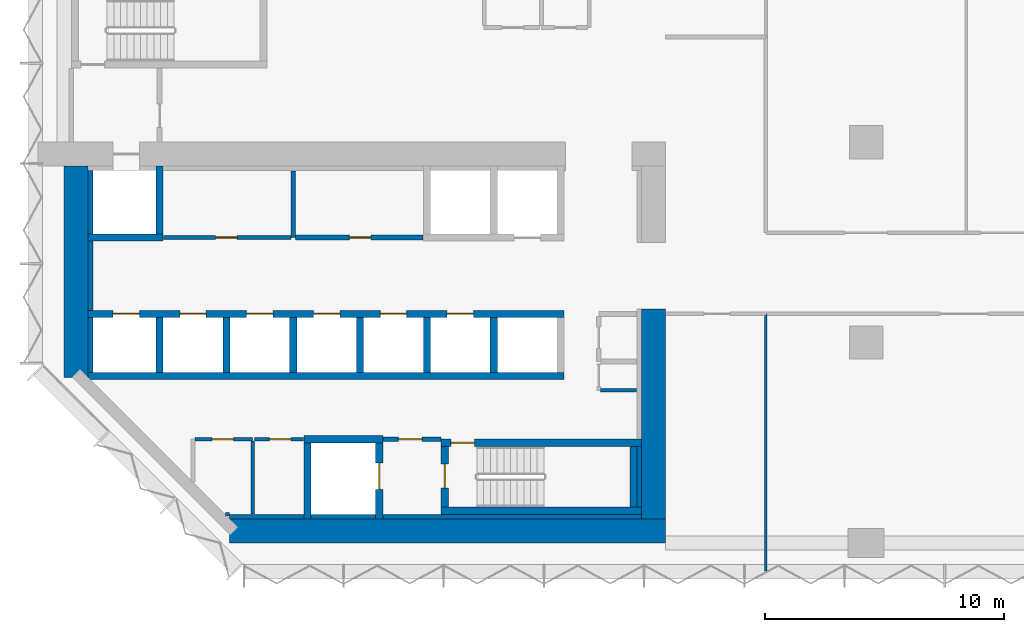
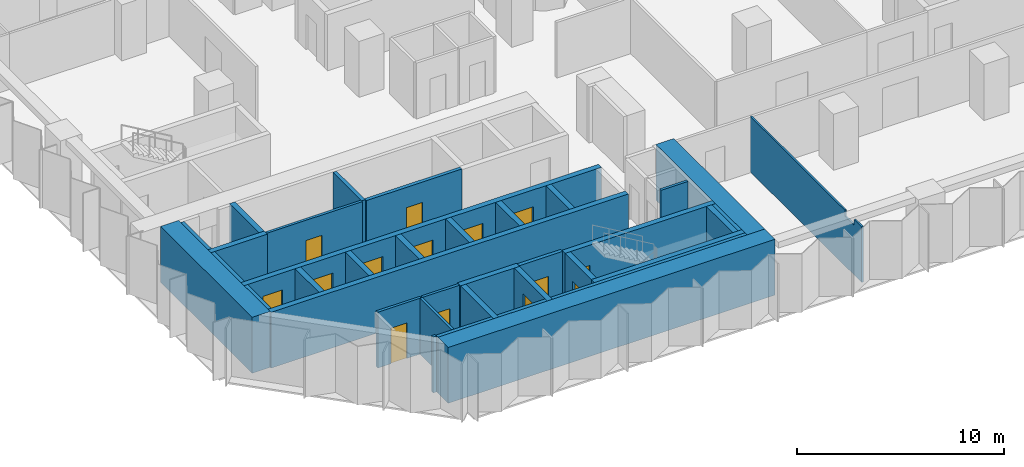
# One storey, part 7 of 15: 37 walls, 14 doors, 14 openings.
"""IFC4 building model written with IfcOpenShell, lengths in metres."""

from ifc_helpers import new_model, si_unit, direction, frame, frame_2d, origin, place, context, subcontext, project, spatial, polyline, rectangle, outline, extrude, material, layer, layer_set, type_object, element, fill, save


model = new_model("IFC4")

# Units and contexts
model_context = context("Model", 3, precision=1e-05, world=origin(), true_north=direction((0.0, 1.0)))
body_context = subcontext(model_context, "Body", "Model", "MODEL_VIEW")
ifc_project = project(units=[si_unit("LENGTHUNIT", "METRE"), si_unit("AREAUNIT", "SQUARE_METRE"), si_unit("VOLUMEUNIT", "CUBIC_METRE"), si_unit("PLANEANGLEUNIT", "RADIAN"), si_unit("MASSUNIT", "GRAM", prefix="KILO")], contexts=[model_context])

# Site, building, storey
site_placement = place(None, origin())
site = spatial("IfcSite", under=ifc_project, at=site_placement, CompositionType="ELEMENT")
building_placement = place(site_placement, origin())
building = spatial("IfcBuilding", under=site, at=building_placement, Name="Brevane Broadcast Tower", CompositionType="ELEMENT")
storey_placement = place(building_placement, frame((0.0, 0.0, 83.300048828125)))
storey = spatial("IfcBuildingStorey", under=building, at=storey_placement, Name="L19", CompositionType="ELEMENT", Elevation=83.300048828125)

# Walls
ifc_material_1 = material(Name="Concrete C32/40", Category="concrete")
ifc_layer_1 = layer(ifc_material_1, 0.199951171875)
ifc_layer_set_1 = layer_set([ifc_layer_1], Name="Core chase wall 200 mm")
wall_type_1 = type_object("IfcWallType", Name="Core chase wall 200 mm", PredefinedType="PARTITIONING", material=ifc_layer_set_1)
wall_1_placement = place(storey_placement, frame((1.10009765625, 7.14990234375, 0.0), z_axis=(0.0, 0.0, 1.0), x_axis=(0.0, 1.0, 0.0)))
element("IfcWall", 1, at=wall_1_placement, inside=storey, type_object=wall_type_1, Name="L19 chase wall LW-2-1", PredefinedType="PARTITIONING", context=body_context, shape_type="SweptSolid", body=[
    extrude(rectangle(XDim=2.300048828125, YDim=0.199951171875, at=frame_2d((1.14990234375, 0.0))), origin(), (0.0, 0.0, 1.0), 3.300048828125),
])
wall_2_placement = place(storey_placement, frame((1.10009765625, 9.75, 0.0), z_axis=(0.0, 0.0, 1.0), x_axis=(0.0, 1.0, 0.0)))
element("IfcWall", 2, at=wall_2_placement, inside=storey, type_object=wall_type_1, Name="L19 chase wall LW-2-2-1", PredefinedType="PARTITIONING", context=body_context, shape_type="SweptSolid", body=[
    extrude(rectangle(XDim=2.89990234375, YDim=0.199951171875, at=frame_2d((1.449951171875, 0.0))), origin(), (0.0, 0.0, 1.0), 3.300048828125),
])
wall_3_placement = place(storey_placement, frame((1.10009765625, 12.949951171875, 0.0), z_axis=(0.0, 0.0, 1.0), x_axis=(0.0, 1.0, 0.0)))
element("IfcWall", 3, at=wall_3_placement, inside=storey, type_object=wall_type_1, Name="L19 chase wall LW-2-2-2", PredefinedType="PARTITIONING", context=body_context, shape_type="SweptSolid", body=[
    extrude(rectangle(XDim=2.650146484375, YDim=0.199951171875, at=frame_2d((1.3251953125, 0.0))), origin(), (0.0, 0.0, 1.0), 3.300048828125),
])
wall_4_placement = place(storey_placement, frame((6.936279296875, 1.10009765625, 0.0), z_axis=(0.0, 0.0, 1.0), x_axis=(1.0, 0.0, 0.0)))
element("IfcWall", 4, at=wall_4_placement, inside=storey, type_object=wall_type_1, Name="L19 chase wall LS-1", PredefinedType="PARTITIONING", context=body_context, shape_type="SweptSolid", body=[
    extrude(rectangle(XDim=3.11376953125, YDim=0.199951171875, at=frame_2d((1.556884765625, 0.0))), origin(), (0.0, 0.0, 1.0), 3.300048828125),
])
wall_5_placement = place(storey_placement, frame((10.35009765625, 1.10009765625, 0.0), z_axis=(0.0, 0.0, 1.0), x_axis=(1.0, 0.0, 0.0)))
element("IfcWall", 5, at=wall_5_placement, inside=storey, type_object=wall_type_1, Name="L19 chase wall LS-2-1", PredefinedType="PARTITIONING", context=body_context, shape_type="SweptSolid", body=[
    extrude(rectangle(XDim=2.699951171875, YDim=0.199951171875, at=frame_2d((1.35009765625, 0.0))), origin(), (0.0, 0.0, 1.0), 3.300048828125),
])
wall_6_placement = place(storey_placement, frame((13.35009765625, 1.10009765625, 0.0), z_axis=(0.0, 0.0, 1.0), x_axis=(1.0, 0.0, 0.0)))
element("IfcWall", 6, at=wall_6_placement, inside=storey, type_object=wall_type_1, Name="L19 chase wall LS-2-2", PredefinedType="PARTITIONING", context=body_context, shape_type="SweptSolid", body=[
    extrude(rectangle(XDim=10.849853515625, YDim=0.199951171875, at=frame_2d((5.4248046875, 0.0))), origin(), (0.0, 0.0, 1.0), 3.300048828125),
])
wall_7_placement = place(storey_placement, frame((24.10009765625, 1.5, 0.0), z_axis=(0.0, 0.0, 1.0), x_axis=(0.0, 1.0, 0.0)))
element("IfcWall", 7, at=wall_7_placement, inside=storey, type_object=wall_type_1, Name="L19 chase wall LE1-2-1", PredefinedType="PARTITIONING", context=body_context, shape_type="SweptSolid", body=[
    extrude(rectangle(XDim=2.550048828125, YDim=0.199951171875, at=frame_2d((1.27490234375, 0.0))), origin(), (0.0, 0.0, 1.0), 3.300048828125),
])

# Wall, opening, door
ifc_material_2 = material(Name="Gypsum board on steel studs", Category="steel")
ifc_layer_2 = layer(ifc_material_2, 0.14990234375)
ifc_layer_set_2 = layer_set([ifc_layer_2], Name="Core fire partition 150 mm")
wall_type_2 = type_object("IfcWallType", Name="Core fire partition 150 mm", PredefinedType="PARTITIONING", material=ifc_layer_set_2)
wall_8_placement = place(storey_placement, frame((4.162109375, 12.800048828125, 0.0), z_axis=(0.0, 0.0, 1.0), x_axis=(1.0, 0.0, 0.0)))
wall_8 = element("IfcWall", 8, at=wall_8_placement, inside=storey, type_object=wall_type_2, Name="L19 partition wall P09", PredefinedType="PARTITIONING", context=body_context, shape_type="SweptSolid", body=[
    extrude(rectangle(XDim=5.337890625, YDim=0.14990234375, at=frame_2d((2.6689453125, 0.0))), origin(), (0.0, 0.0, 1.0), 3.300048828125),
])
opening_1_placement = place(wall_8_placement, frame((2.18798828125, 0.0, 0.0)))
opening_1 = element("IfcOpeningElement", 9, at=opening_1_placement, cuts=wall_8, Name="Opening L19-K21", PredefinedType="OPENING", context=body_context, shape_type="SweptSolid", body=[
    extrude(rectangle(XDim=0.89990234375, YDim=2.10009765625, at=frame_2d((0.449951171875, 1.050048828125))), frame((0.0, 0.0849609375, 0.0), z_axis=(0.0, -1.0, 0.0), x_axis=(1.0, 0.0, 0.0)), (0.0, 0.0, 1.0), 0.169921875),
])
ifc_material_3 = material(Name="Steel", Category="steel")
door_type_1 = type_object("IfcDoorType", Name="Service room door 900 x 2100", OperationType="SINGLE_SWING_LEFT", PredefinedType="DOOR", material=ifc_material_3)
door_1_placement = place(opening_1_placement, origin())
door_1 = element("IfcDoor", 10, at=door_1_placement, inside=storey, type_object=door_type_1, Name="Door L19-K21", OperationType="SINGLE_SWING_LEFT", OverallHeight=2.10009765625, OverallWidth=0.89990234375, PredefinedType="DOOR", context=body_context, shape_type="SweptSolid", body=[
    extrude(rectangle(XDim=0.89990234375, YDim=2.10009765625, at=frame_2d((0.449951171875, 1.050048828125))), frame((0.0, 0.02490234375, 0.0), z_axis=(0.0, -1.0, 0.0), x_axis=(1.0, 0.0, 0.0)), (0.0, 0.0, 1.0), 0.050048828125),
])
fill(opening_1, door_1)

wall_9_placement = place(storey_placement, frame((5.47509765625, 4.35009765625, 0.0), z_axis=(0.0, 0.0, 1.0), x_axis=(1.0, 0.0, 0.0)))
wall_9 = element("IfcWall", 11, at=wall_9_placement, inside=storey, type_object=wall_type_2, Name="L19 partition wall P11", PredefinedType="PARTITIONING", context=body_context, shape_type="SweptSolid", body=[
    extrude(rectangle(XDim=2.4248046875, YDim=0.14990234375, at=frame_2d((1.21240234375, 0.0))), origin(), (0.0, 0.0, 1.0), 3.300048828125),
])
opening_2_placement = place(wall_9_placement, frame((0.72509765625, 0.0, 0.0)))
opening_2 = element("IfcOpeningElement", 12, at=opening_2_placement, cuts=wall_9, Name="Opening L19-K16", PredefinedType="OPENING", context=body_context, shape_type="SweptSolid", body=[
    extrude(rectangle(XDim=0.89990234375, YDim=2.10009765625, at=frame_2d((0.449951171875, 1.050048828125))), frame((0.0, 0.0849609375, 0.0), z_axis=(0.0, -1.0, 0.0), x_axis=(1.0, 0.0, 0.0)), (0.0, 0.0, 1.0), 0.169921875),
])
ifc_material_4 = material(Name="Timber", Category="wood")
door_type_2 = type_object("IfcDoorType", Name="Toilet door 900 x 2100", OperationType="SINGLE_SWING_LEFT", PredefinedType="DOOR", material=ifc_material_4)
door_2_placement = place(opening_2_placement, origin())
door_2 = element("IfcDoor", 13, at=door_2_placement, inside=storey, type_object=door_type_2, Name="Door L19-K16", OperationType="SINGLE_SWING_RIGHT", OverallHeight=2.10009765625, OverallWidth=0.89990234375, PredefinedType="DOOR", context=body_context, shape_type="SweptSolid", body=[
    extrude(rectangle(XDim=0.89990234375, YDim=2.10009765625, at=frame_2d((0.449951171875, 1.050048828125))), frame((0.0, 0.02490234375, 0.0), z_axis=(0.0, -1.0, 0.0), x_axis=(1.0, 0.0, 0.0)), (0.0, 0.0, 1.0), 0.050048828125),
])
fill(opening_2, door_2)

# Walls
wall_10_placement = place(storey_placement, frame((7.89990234375, 4.27490234375, 0.0), z_axis=(0.0, 0.0, 1.0), x_axis=(0.0, -1.0, 0.0)))
element("IfcWall", 14, at=wall_10_placement, inside=storey, type_object=wall_type_2, Name="L19 partition wall P12", PredefinedType="PARTITIONING", context=body_context, shape_type="SweptSolid", body=[
    extrude(rectangle(XDim=3.06298828125, YDim=0.14990234375, at=frame_2d((1.531494140625, 0.0))), origin(), (0.0, 0.0, 1.0), 3.300048828125),
])
wall_11_placement = place(storey_placement, frame((6.92431640625, 1.199951171875, 0.0), z_axis=(0.0, 0.0, 1.0), x_axis=(-1.0, 0.0, 0.0)))
element("IfcWall", 15, at=wall_11_placement, inside=storey, type_object=wall_type_2, Name="L19 partition wall P13", PredefinedType="PARTITIONING", context=body_context, shape_type="SweptSolid", body=[
    extrude(rectangle(XDim=0.1708984375, YDim=0.14990234375, at=frame_2d((0.08544921875, 0.0))), origin(), (0.0, 0.0, 1.0), 3.300048828125),
])

# Wall, opening, door
wall_12_placement = place(storey_placement, frame((10.0380859375, 4.35009765625, 0.0), z_axis=(0.0, 0.0, 1.0), x_axis=(-1.0, 0.0, 0.0)))
wall_12 = element("IfcWall", 16, at=wall_12_placement, inside=storey, type_object=wall_type_2, Name="L19 partition wall P14", PredefinedType="PARTITIONING", context=body_context, shape_type="SweptSolid", body=[
    extrude(rectangle(XDim=2.06298828125, YDim=0.14990234375, at=frame_2d((1.031494140625, 0.0))), origin(), (0.0, 0.0, 1.0), 3.300048828125),
])
opening_3_placement = place(wall_12_placement, frame((0.5380859375, 0.0, 0.0)))
opening_3 = element("IfcOpeningElement", 17, at=opening_3_placement, cuts=wall_12, Name="Opening L19-K17", PredefinedType="OPENING", context=body_context, shape_type="SweptSolid", body=[
    extrude(rectangle(XDim=0.89990234375, YDim=2.10009765625, at=frame_2d((0.449951171875, 1.050048828125))), frame((0.0, 0.0849609375, 0.0), z_axis=(0.0, -1.0, 0.0), x_axis=(1.0, 0.0, 0.0)), (0.0, 0.0, 1.0), 0.169921875),
])
door_3_placement = place(opening_3_placement, origin())
door_3 = element("IfcDoor", 18, at=door_3_placement, inside=storey, type_object=door_type_2, Name="Door L19-K17", OperationType="SINGLE_SWING_LEFT", OverallHeight=2.10009765625, OverallWidth=0.89990234375, PredefinedType="DOOR", context=body_context, shape_type="SweptSolid", body=[
    extrude(rectangle(XDim=0.89990234375, YDim=2.10009765625, at=frame_2d((0.449951171875, 1.050048828125))), frame((0.0, 0.02490234375, 0.0), z_axis=(0.0, -1.0, 0.0), x_axis=(1.0, 0.0, 0.0)), (0.0, 0.0, 1.0), 0.050048828125),
])
fill(opening_3, door_3)

# Wall
wall_13_placement = place(storey_placement, frame((22.47509765625, 6.39990234375, 0.0), z_axis=(0.0, 0.0, 1.0), x_axis=(1.0, 0.0, 0.0)))
element("IfcWall", 19, at=wall_13_placement, inside=storey, type_object=wall_type_2, Name="L19 partition wall P23", PredefinedType="PARTITIONING", context=body_context, shape_type="SweptSolid", body=[
    extrude(rectangle(XDim=1.512939453125, YDim=0.14990234375, at=frame_2d((0.75634765625, 0.0))), origin(), (0.0, 0.0, 1.0), 3.300048828125),
])

# Wall, opening, door
ifc_layer_3 = layer(ifc_material_2, 0.199951171875)
ifc_layer_set_3 = layer_set([ifc_layer_3], Name="Core fire partition 200 mm")
wall_type_3 = type_object("IfcWallType", Name="Core fire partition 200 mm", PredefinedType="PARTITIONING", material=ifc_layer_set_3)
wall_14_placement = place(storey_placement, frame((13.362060546875, 4.35009765625, 0.0), z_axis=(0.0, 0.0, 1.0), x_axis=(1.0, 0.0, 0.0)))
wall_14 = element("IfcWall", 20, at=wall_14_placement, inside=storey, type_object=wall_type_3, Name="L19 partition wall P03", PredefinedType="PARTITIONING", context=body_context, shape_type="SweptSolid", body=[
    extrude(rectangle(XDim=2.426025390625, YDim=0.199951171875, at=frame_2d((1.212890625, 0.0))), origin(), (0.0, 0.0, 1.0), 3.300048828125),
])
opening_4_placement = place(wall_14_placement, frame((0.637939453125, 0.0, 0.0)))
opening_4 = element("IfcOpeningElement", 21, at=opening_4_placement, cuts=wall_14, Name="Opening L19-K18", PredefinedType="OPENING", context=body_context, shape_type="SweptSolid", body=[
    extrude(rectangle(XDim=1.0, YDim=2.10009765625, at=frame_2d((0.5, 1.050048828125))), frame((0.0, 0.10986328125, 0.0), z_axis=(0.0, -1.0, 0.0), x_axis=(1.0, 0.0, 0.0)), (0.0, 0.0, 1.0), 0.219970703125),
])
door_type_3 = type_object("IfcDoorType", Name="Stair door 1000 x 2100", OperationType="SINGLE_SWING_LEFT", PredefinedType="DOOR", material=ifc_material_3)
door_4_placement = place(opening_4_placement, origin())
door_4 = element("IfcDoor", 22, at=door_4_placement, inside=storey, type_object=door_type_3, Name="Door L19-K18", OperationType="SINGLE_SWING_RIGHT", OverallHeight=2.10009765625, OverallWidth=1.0, PredefinedType="DOOR", context=body_context, shape_type="SweptSolid", body=[
    extrude(rectangle(XDim=1.0, YDim=2.10009765625, at=frame_2d((0.5, 1.050048828125))), frame((0.0, 0.02490234375, 0.0), z_axis=(0.0, -1.0, 0.0), x_axis=(1.0, 0.0, 0.0)), (0.0, 0.0, 1.0), 0.050048828125),
])
fill(opening_4, door_4)

# Wall
wall_15_placement = place(storey_placement, frame((9.60009765625, 15.587890625, 0.0), z_axis=(0.0, 0.0, 1.0), x_axis=(0.0, -1.0, 0.0)))
element("IfcWall", 23, at=wall_15_placement, inside=storey, type_object=wall_type_3, Name="L19 partition wall P04", PredefinedType="PARTITIONING", context=body_context, shape_type="SweptSolid", body=[
    extrude(rectangle(XDim=2.787841796875, YDim=0.199951171875, at=frame_2d((1.39404296875, 0.0))), origin(), (0.0, 0.0, 1.0), 3.300048828125),
])

# Wall, opening, door
wall_16_placement = place(storey_placement, frame((9.699951171875, 12.800048828125, 0.0), z_axis=(0.0, 0.0, 1.0), x_axis=(1.0, 0.0, 0.0)))
wall_16 = element("IfcWall", 24, at=wall_16_placement, inside=storey, type_object=wall_type_3, Name="L19 partition wall P05", PredefinedType="PARTITIONING", context=body_context, shape_type="SweptSolid", body=[
    extrude(rectangle(XDim=5.338134765625, YDim=0.199951171875, at=frame_2d((2.6689453125, 0.0))), origin(), (0.0, 0.0, 1.0), 3.300048828125),
])
opening_5_placement = place(wall_16_placement, frame((2.25, 0.0, 0.0)))
opening_5 = element("IfcOpeningElement", 25, at=opening_5_placement, cuts=wall_16, Name="Opening L19-K22", PredefinedType="OPENING", context=body_context, shape_type="SweptSolid", body=[
    extrude(rectangle(XDim=0.89990234375, YDim=2.10009765625, at=frame_2d((0.449951171875, 1.050048828125))), frame((0.0, 0.10986328125, 0.0), z_axis=(0.0, -1.0, 0.0), x_axis=(1.0, 0.0, 0.0)), (0.0, 0.0, 1.0), 0.219970703125),
])
door_5_placement = place(opening_5_placement, origin())
door_5 = element("IfcDoor", 26, at=door_5_placement, inside=storey, type_object=door_type_1, Name="Door L19-K22", OperationType="SINGLE_SWING_RIGHT", OverallHeight=2.10009765625, OverallWidth=0.89990234375, PredefinedType="DOOR", context=body_context, shape_type="SweptSolid", body=[
    extrude(rectangle(XDim=0.89990234375, YDim=2.10009765625, at=frame_2d((0.449951171875, 1.050048828125))), frame((0.0, 0.02490234375, 0.0), z_axis=(0.0, -1.0, 0.0), x_axis=(1.0, 0.0, 0.0)), (0.0, 0.0, 1.0), 0.050048828125),
])
fill(opening_5, door_5)

# Walls
ifc_material_5 = material(Name="Concrete C80/95", Category="concrete")
ifc_layer_4 = layer(ifc_material_5, 1.0)
ifc_layer_set_4 = layer_set([ifc_layer_4], Name="Core wall 1000 mm C80/95")
wall_type_4 = type_object("IfcWallType", Name="Core wall 1000 mm C80/95", PredefinedType="SHEAR", material=ifc_layer_set_4)
wall_17_placement = place(storey_placement, frame((6.936279296875, 0.5, 0.0), z_axis=(0.0, 0.0, 1.0), x_axis=(1.0, 0.0, 0.0)))
element("IfcWall", 27, at=wall_17_placement, inside=storey, type_object=wall_type_4, Name="L19 outer wall WS", PredefinedType="SHEAR", context=body_context, shape_type="SweptSolid", body=[
    extrude(rectangle(XDim=18.263671875, YDim=1.0, at=frame_2d((9.1318359375, 0.0))), origin(), (0.0, 0.0, 1.0), 3.300048828125),
])
wall_18_placement = place(storey_placement, frame((0.5, 6.936279296875, 0.0), z_axis=(0.0, 0.0, 1.0), x_axis=(0.0, 1.0, 0.0)))
element("IfcWall", 28, at=wall_18_placement, inside=storey, type_object=wall_type_4, Name="L19 outer wall WW", PredefinedType="SHEAR", context=body_context, shape_type="SweptSolid", body=[
    extrude(rectangle(XDim=8.86376953125, YDim=1.0, at=frame_2d((4.431884765625, 0.0))), origin(), (0.0, 0.0, 1.0), 3.300048828125),
])
wall_19_placement = place(storey_placement, frame((24.699951171875, 1.0, 0.0), z_axis=(0.0, 0.0, 1.0), x_axis=(0.0, 1.0, 0.0)))
element("IfcWall", 29, at=wall_19_placement, inside=storey, type_object=wall_type_4, Name="L19 outer wall WE1", PredefinedType="SHEAR", context=body_context, shape_type="SweptSolid", body=[
    extrude(rectangle(XDim=8.800048828125, YDim=1.0, at=frame_2d((4.39990234375, 0.0))), origin(), (0.0, 0.0, 1.0), 3.300048828125),
])
ifc_layer_5 = layer(ifc_material_5, 0.300048828125)
ifc_layer_set_5 = layer_set([ifc_layer_5], Name="Core wall 300 mm C80/95")
wall_type_5 = type_object("IfcWallType", Name="Core wall 300 mm C80/95", PredefinedType="SHEAR", material=ifc_layer_set_5)
wall_20_placement = place(storey_placement, frame((1.0, 7.0, 0.0), z_axis=(0.0, 0.0, 1.0), x_axis=(1.0, 0.0, 0.0)))
element("IfcWall", 30, at=wall_20_placement, inside=storey, type_object=wall_type_5, Name="L19 shaft wall SH-S012-back", PredefinedType="SHEAR", context=body_context, shape_type="SweptSolid", body=[
    extrude(rectangle(XDim=19.949951171875, YDim=0.300048828125, at=frame_2d((9.97509765625, 0.0))), origin(), (0.0, 0.0, 1.0), 3.300048828125),
])

# Wall, openings, doors
wall_21_placement = place(storey_placement, frame((1.0, 9.60009765625, 0.0), z_axis=(0.0, 0.0, 1.0), x_axis=(1.0, 0.0, 0.0)))
wall_21 = element("IfcWall", 31, at=wall_21_placement, inside=storey, type_object=wall_type_5, Name="L19 shaft wall SH-S012-front", PredefinedType="SHEAR", context=body_context, shape_type="SweptSolid", body=[
    extrude(rectangle(XDim=19.949951171875, YDim=0.300048828125, at=frame_2d((9.97509765625, 0.0))), origin(), (0.0, 0.0, 1.0), 3.300048828125),
])
opening_6_placement = place(wall_21_placement, frame((1.050048828125, 0.0, 0.0)))
opening_6 = element("IfcOpeningElement", 32, at=opening_6_placement, cuts=wall_21, Name="Opening LD", PredefinedType="OPENING", context=body_context, shape_type="SweptSolid", body=[
    extrude(rectangle(XDim=1.10009765625, YDim=2.300048828125, at=frame_2d((0.550048828125, 1.14990234375))), frame((0.0, 0.159912109375, 0.0), z_axis=(0.0, -1.0, 0.0), x_axis=(1.0, 0.0, 0.0)), (0.0, 0.0, 1.0), 0.320068359375),
])
opening_7_placement = place(wall_21_placement, frame((3.85009765625, 0.0, 0.0)))
opening_7 = element("IfcOpeningElement", 33, at=opening_7_placement, cuts=wall_21, Name="Opening LD", PredefinedType="OPENING", context=body_context, shape_type="SweptSolid", body=[
    extrude(rectangle(XDim=1.10009765625, YDim=2.300048828125, at=frame_2d((0.550048828125, 1.14990234375))), frame((0.0, 0.159912109375, 0.0), z_axis=(0.0, -1.0, 0.0), x_axis=(1.0, 0.0, 0.0)), (0.0, 0.0, 1.0), 0.320068359375),
])
opening_8_placement = place(wall_21_placement, frame((6.64990234375, 0.0, 0.0)))
opening_8 = element("IfcOpeningElement", 34, at=opening_8_placement, cuts=wall_21, Name="Opening LD", PredefinedType="OPENING", context=body_context, shape_type="SweptSolid", body=[
    extrude(rectangle(XDim=1.10009765625, YDim=2.300048828125, at=frame_2d((0.550048828125, 1.14990234375))), frame((0.0, 0.159912109375, 0.0), z_axis=(0.0, -1.0, 0.0), x_axis=(1.0, 0.0, 0.0)), (0.0, 0.0, 1.0), 0.320068359375),
])
opening_9_placement = place(wall_21_placement, frame((9.449951171875, 0.0, 0.0)))
opening_9 = element("IfcOpeningElement", 35, at=opening_9_placement, cuts=wall_21, Name="Opening LD", PredefinedType="OPENING", context=body_context, shape_type="SweptSolid", body=[
    extrude(rectangle(XDim=1.10009765625, YDim=2.300048828125, at=frame_2d((0.550048828125, 1.14990234375))), frame((0.0, 0.159912109375, 0.0), z_axis=(0.0, -1.0, 0.0), x_axis=(1.0, 0.0, 0.0)), (0.0, 0.0, 1.0), 0.320068359375),
])
opening_10_placement = place(wall_21_placement, frame((12.25, 0.0, 0.0)))
opening_10 = element("IfcOpeningElement", 36, at=opening_10_placement, cuts=wall_21, Name="Opening LD", PredefinedType="OPENING", context=body_context, shape_type="SweptSolid", body=[
    extrude(rectangle(XDim=1.10009765625, YDim=2.300048828125, at=frame_2d((0.550048828125, 1.14990234375))), frame((0.0, 0.159912109375, 0.0), z_axis=(0.0, -1.0, 0.0), x_axis=(1.0, 0.0, 0.0)), (0.0, 0.0, 1.0), 0.320068359375),
])
opening_11_placement = place(wall_21_placement, frame((15.050048828125, 0.0, 0.0)))
opening_11 = element("IfcOpeningElement", 37, at=opening_11_placement, cuts=wall_21, Name="Opening LD", PredefinedType="OPENING", context=body_context, shape_type="SweptSolid", body=[
    extrude(rectangle(XDim=1.10009765625, YDim=2.300048828125, at=frame_2d((0.550048828125, 1.14990234375))), frame((0.0, 0.159912109375, 0.0), z_axis=(0.0, -1.0, 0.0), x_axis=(1.0, 0.0, 0.0)), (0.0, 0.0, 1.0), 0.320068359375),
])
ifc_material_6 = material(Name="Stainless steel", Category="steel")
door_type_4 = type_object("IfcDoorType", Name="Lift landing door", OperationType="SLIDING_TO_LEFT", PredefinedType="DOOR", material=ifc_material_6)
door_6_placement = place(opening_6_placement, origin())
door_6 = element("IfcDoor", 38, at=door_6_placement, inside=storey, type_object=door_type_4, Name="Landing door LR1 L19", OperationType="SLIDING_TO_LEFT", OverallHeight=2.300048828125, OverallWidth=1.10009765625, PredefinedType="DOOR", context=body_context, shape_type="SweptSolid", body=[
    extrude(rectangle(XDim=1.10009765625, YDim=2.300048828125, at=frame_2d((0.550048828125, 1.14990234375))), frame((0.0, 0.02490234375, 0.0), z_axis=(0.0, -1.0, 0.0), x_axis=(1.0, 0.0, 0.0)), (0.0, 0.0, 1.0), 0.050048828125),
])
fill(opening_6, door_6)
door_7_placement = place(opening_7_placement, origin())
door_7 = element("IfcDoor", 39, at=door_7_placement, inside=storey, type_object=door_type_4, Name="Landing door LR2 L19", OperationType="SLIDING_TO_LEFT", OverallHeight=2.300048828125, OverallWidth=1.10009765625, PredefinedType="DOOR", context=body_context, shape_type="SweptSolid", body=[
    extrude(rectangle(XDim=1.10009765625, YDim=2.300048828125, at=frame_2d((0.550048828125, 1.14990234375))), frame((0.0, 0.02490234375, 0.0), z_axis=(0.0, -1.0, 0.0), x_axis=(1.0, 0.0, 0.0)), (0.0, 0.0, 1.0), 0.050048828125),
])
fill(opening_7, door_7)
door_8_placement = place(opening_8_placement, origin())
door_8 = element("IfcDoor", 40, at=door_8_placement, inside=storey, type_object=door_type_4, Name="Landing door LR3 L19", OperationType="SLIDING_TO_LEFT", OverallHeight=2.300048828125, OverallWidth=1.10009765625, PredefinedType="DOOR", context=body_context, shape_type="SweptSolid", body=[
    extrude(rectangle(XDim=1.10009765625, YDim=2.300048828125, at=frame_2d((0.550048828125, 1.14990234375))), frame((0.0, 0.02490234375, 0.0), z_axis=(0.0, -1.0, 0.0), x_axis=(1.0, 0.0, 0.0)), (0.0, 0.0, 1.0), 0.050048828125),
])
fill(opening_8, door_8)
door_9_placement = place(opening_9_placement, origin())
door_9 = element("IfcDoor", 41, at=door_9_placement, inside=storey, type_object=door_type_4, Name="Landing door LR4 L19", OperationType="SLIDING_TO_LEFT", OverallHeight=2.300048828125, OverallWidth=1.10009765625, PredefinedType="DOOR", context=body_context, shape_type="SweptSolid", body=[
    extrude(rectangle(XDim=1.10009765625, YDim=2.300048828125, at=frame_2d((0.550048828125, 1.14990234375))), frame((0.0, 0.02490234375, 0.0), z_axis=(0.0, -1.0, 0.0), x_axis=(1.0, 0.0, 0.0)), (0.0, 0.0, 1.0), 0.050048828125),
])
fill(opening_9, door_9)
door_10_placement = place(opening_10_placement, origin())
door_10 = element("IfcDoor", 42, at=door_10_placement, inside=storey, type_object=door_type_4, Name="Landing door LR5 L19", OperationType="SLIDING_TO_LEFT", OverallHeight=2.300048828125, OverallWidth=1.10009765625, PredefinedType="DOOR", context=body_context, shape_type="SweptSolid", body=[
    extrude(rectangle(XDim=1.10009765625, YDim=2.300048828125, at=frame_2d((0.550048828125, 1.14990234375))), frame((0.0, 0.02490234375, 0.0), z_axis=(0.0, -1.0, 0.0), x_axis=(1.0, 0.0, 0.0)), (0.0, 0.0, 1.0), 0.050048828125),
])
fill(opening_10, door_10)
door_11_placement = place(opening_11_placement, origin())
door_11 = element("IfcDoor", 43, at=door_11_placement, inside=storey, type_object=door_type_4, Name="Landing door LR6 L19", OperationType="SLIDING_TO_LEFT", OverallHeight=2.300048828125, OverallWidth=1.10009765625, PredefinedType="DOOR", context=body_context, shape_type="SweptSolid", body=[
    extrude(rectangle(XDim=1.10009765625, YDim=2.300048828125, at=frame_2d((0.550048828125, 1.14990234375))), frame((0.0, 0.02490234375, 0.0), z_axis=(0.0, -1.0, 0.0), x_axis=(1.0, 0.0, 0.0)), (0.0, 0.0, 1.0), 0.050048828125),
])
fill(opening_11, door_11)

# Walls
for number, where, z_axis, x_axis, name in (
    (44, (4.0, 7.14990234375, 0.0), (0.0, 0.0, 1.0), (0.0, 1.0, 0.0), "L19 shaft wall SH-S-P040"),
    (45, (6.800048828125, 7.14990234375, 0.0), (0.0, 0.0, 1.0), (0.0, 1.0, 0.0), "L19 shaft wall SH-S-P068"),
    (46, (9.60009765625, 7.14990234375, 0.0), (0.0, 0.0, 1.0), (0.0, 1.0, 0.0), "L19 shaft wall SH-S-P096"),
    (47, (12.39990234375, 7.14990234375, 0.0), (0.0, 0.0, 1.0), (0.0, 1.0, 0.0), "L19 shaft wall SH-S-P124"),
    (48, (15.199951171875, 7.14990234375, 0.0), (0.0, 0.0, 1.0), (0.0, 1.0, 0.0), "L19 shaft wall SH-S-P152"),
    (49, (18.0, 7.14990234375, 0.0), (0.0, 0.0, 1.0), (0.0, 1.0, 0.0), "L19 shaft wall SH-S-P180"),
):
    element("IfcWall", number, at=place(storey_placement, frame(where, z_axis=z_axis, x_axis=x_axis)), inside=storey, type_object=wall_type_5, Name=name, PredefinedType="SHEAR", context=body_context, shape_type="SweptSolid", body=[
        extrude(rectangle(XDim=2.300048828125, YDim=0.300048828125, at=frame_2d((1.14990234375, 0.0))), origin(), (0.0, 0.0, 1.0), 3.300048828125),
    ])
wall_22_placement = place(storey_placement, frame((1.0, 12.800048828125, 0.0), z_axis=(0.0, 0.0, 1.0), x_axis=(1.0, 0.0, 0.0)))
element("IfcWall", 50, at=wall_22_placement, inside=storey, type_object=wall_type_5, Name="L19 shaft wall SH-N012-front", PredefinedType="SHEAR", context=body_context, shape_type="SweptSolid", body=[
    extrude(rectangle(XDim=3.14990234375, YDim=0.300048828125, at=frame_2d((1.574951171875, 0.0))), origin(), (0.0, 0.0, 1.0), 3.300048828125),
])
wall_23_placement = place(storey_placement, frame((4.0, 12.949951171875, 0.0), z_axis=(0.0, 0.0, 1.0), x_axis=(0.0, 1.0, 0.0)))
element("IfcWall", 51, at=wall_23_placement, inside=storey, type_object=wall_type_5, Name="L19 shaft wall SH-N-P040", PredefinedType="SHEAR", context=body_context, shape_type="SweptSolid", body=[
    extrude(rectangle(XDim=2.85009765625, YDim=0.300048828125, at=frame_2d((1.425048828125, 0.0))), origin(), (0.0, 0.0, 1.0), 3.300048828125),
])
wall_24_placement = place(storey_placement, frame((10.199951171875, 1.0, 0.0), z_axis=(0.0, 0.0, 1.0), x_axis=(0.0, 1.0, 0.0)))
element("IfcWall", 52, at=wall_24_placement, inside=storey, type_object=wall_type_5, Name="L19 shaft wall FF2-W", PredefinedType="SHEAR", context=body_context, shape_type="SweptSolid", body=[
    extrude(rectangle(XDim=3.199951171875, YDim=0.300048828125, at=frame_2d((1.60009765625, 0.0))), origin(), (0.0, 0.0, 1.0), 3.300048828125),
])

# Wall, opening, door
wall_25_placement = place(storey_placement, frame((13.199951171875, 1.0, 0.0), z_axis=(0.0, 0.0, 1.0), x_axis=(0.0, 1.0, 0.0)))
wall_25 = element("IfcWall", 53, at=wall_25_placement, inside=storey, type_object=wall_type_5, Name="L19 shaft wall FF2-E", PredefinedType="SHEAR", context=body_context, shape_type="SweptSolid", body=[
    extrude(rectangle(XDim=3.199951171875, YDim=0.300048828125, at=frame_2d((1.60009765625, 0.0))), origin(), (0.0, 0.0, 1.0), 3.300048828125),
])
opening_12_placement = place(wall_25_placement, frame((1.25, 0.0, 0.0)))
opening_12 = element("IfcOpeningElement", 54, at=opening_12_placement, cuts=wall_25, Name="Opening LD", PredefinedType="OPENING", context=body_context, shape_type="SweptSolid", body=[
    extrude(rectangle(XDim=1.10009765625, YDim=2.300048828125, at=frame_2d((0.550048828125, 1.14990234375))), frame((0.0, 0.159912109375, 0.0), z_axis=(0.0, -1.0, 0.0), x_axis=(1.0, 0.0, 0.0)), (0.0, 0.0, 1.0), 0.320068359375),
])
door_12_placement = place(opening_12_placement, origin())
door_12 = element("IfcDoor", 55, at=door_12_placement, inside=storey, type_object=door_type_4, Name="Landing door FF2 L19", OperationType="SLIDING_TO_LEFT", OverallHeight=2.300048828125, OverallWidth=1.10009765625, PredefinedType="DOOR", context=body_context, shape_type="SweptSolid", body=[
    extrude(rectangle(XDim=1.10009765625, YDim=2.300048828125, at=frame_2d((0.550048828125, 1.14990234375))), frame((0.0, 0.02490234375, 0.0), z_axis=(0.0, -1.0, 0.0), x_axis=(1.0, 0.0, 0.0)), (0.0, 0.0, 1.0), 0.050048828125),
])
fill(opening_12, door_12)

# Walls
wall_26_placement = place(storey_placement, frame((10.050048828125, 4.35009765625, 0.0), z_axis=(0.0, 0.0, 1.0), x_axis=(1.0, 0.0, 0.0)))
element("IfcWall", 56, at=wall_26_placement, inside=storey, type_object=wall_type_5, Name="L19 shaft wall FF2-N", PredefinedType="SHEAR", context=body_context, shape_type="SweptSolid", body=[
    extrude(rectangle(XDim=3.300048828125, YDim=0.300048828125, at=frame_2d((1.64990234375, 0.0))), origin(), (0.0, 0.0, 1.0), 3.300048828125),
])
wall_27_placement = place(storey_placement, frame((15.800048828125, 1.35009765625, 0.0), z_axis=(0.0, 0.0, 1.0), x_axis=(1.0, 0.0, 0.0)))
element("IfcWall", 57, at=wall_27_placement, inside=storey, type_object=wall_type_5, Name="L19 stair wall ST-2-S", PredefinedType="SHEAR", context=body_context, shape_type="SweptSolid", body=[
    extrude(rectangle(XDim=8.39990234375, YDim=0.300048828125, at=frame_2d((4.199951171875, 0.0))), origin(), (0.0, 0.0, 1.0), 3.300048828125),
])

# Wall, opening, door
wall_28_placement = place(storey_placement, frame((15.800048828125, 4.199951171875, 0.0), z_axis=(0.0, 0.0, 1.0), x_axis=(1.0, 0.0, 0.0)))
wall_28 = element("IfcWall", 58, at=wall_28_placement, inside=storey, type_object=wall_type_5, Name="L19 stair wall ST-2-N", PredefinedType="SHEAR", context=body_context, shape_type="SweptSolid", body=[
    extrude(rectangle(XDim=8.39990234375, YDim=0.300048828125, at=frame_2d((4.199951171875, 0.0))), origin(), (0.0, 0.0, 1.0), 3.300048828125),
])
opening_13_placement = place(wall_28_placement, frame((0.39990234375, 0.0, 0.0)))
opening_13 = element("IfcOpeningElement", 59, at=opening_13_placement, cuts=wall_28, Name="Opening L19-K13", PredefinedType="OPENING", context=body_context, shape_type="SweptSolid", body=[
    extrude(rectangle(XDim=1.0, YDim=2.10009765625, at=frame_2d((0.5, 1.050048828125))), frame((0.0, 0.159912109375, 0.0), z_axis=(0.0, -1.0, 0.0), x_axis=(1.0, 0.0, 0.0)), (0.0, 0.0, 1.0), 0.320068359375),
])
door_13_placement = place(opening_13_placement, origin())
door_13 = element("IfcDoor", 60, at=door_13_placement, inside=storey, type_object=door_type_3, Name="Door L19-K13", OperationType="SINGLE_SWING_LEFT", OverallHeight=2.10009765625, OverallWidth=1.0, PredefinedType="DOOR", context=body_context, shape_type="SweptSolid", body=[
    extrude(rectangle(XDim=1.0, YDim=2.10009765625, at=frame_2d((0.5, 1.050048828125))), frame((0.0, 0.02490234375, 0.0), z_axis=(0.0, -1.0, 0.0), x_axis=(1.0, 0.0, 0.0)), (0.0, 0.0, 1.0), 0.050048828125),
])
fill(opening_13, door_13)

wall_29_placement = place(storey_placement, frame((15.949951171875, 1.5, 0.0), z_axis=(0.0, 0.0, 1.0), x_axis=(0.0, 1.0, 0.0)))
wall_29 = element("IfcWall", 61, at=wall_29_placement, inside=storey, type_object=wall_type_5, Name="L19 stair wall ST-2-W", PredefinedType="SHEAR", context=body_context, shape_type="SweptSolid", body=[
    extrude(rectangle(XDim=2.550048828125, YDim=0.300048828125, at=frame_2d((1.27490234375, 0.0))), origin(), (0.0, 0.0, 1.0), 3.300048828125),
])
opening_14_placement = place(wall_29_placement, frame((0.800048828125, 0.0, 0.0)))
opening_14 = element("IfcOpeningElement", 62, at=opening_14_placement, cuts=wall_29, Name="Opening L19-K12", PredefinedType="OPENING", context=body_context, shape_type="SweptSolid", body=[
    extrude(rectangle(XDim=1.0, YDim=2.10009765625, at=frame_2d((0.5, 1.050048828125))), frame((0.0, 0.159912109375, 0.0), z_axis=(0.0, -1.0, 0.0), x_axis=(1.0, 0.0, 0.0)), (0.0, 0.0, 1.0), 0.320068359375),
])
door_14_placement = place(opening_14_placement, origin())
door_14 = element("IfcDoor", 63, at=door_14_placement, inside=storey, type_object=door_type_3, Name="Door L19-K12", OperationType="SINGLE_SWING_RIGHT", OverallHeight=2.10009765625, OverallWidth=1.0, PredefinedType="DOOR", context=body_context, shape_type="SweptSolid", body=[
    extrude(rectangle(XDim=1.0, YDim=2.10009765625, at=frame_2d((0.5, 1.050048828125))), frame((0.0, 0.02490234375, 0.0), z_axis=(0.0, -1.0, 0.0), x_axis=(1.0, 0.0, 0.0)), (0.0, 0.0, 1.0), 0.050048828125),
])
fill(opening_14, door_14)

# Walls
wall_30_placement = place(storey_placement, frame((23.85009765625, 1.5, 0.0), z_axis=(0.0, 0.0, 1.0), x_axis=(0.0, 1.0, 0.0)))
element("IfcWall", 64, at=wall_30_placement, inside=storey, type_object=wall_type_5, Name="L19 stair wall ST-2-E", PredefinedType="SHEAR", context=body_context, shape_type="SweptSolid", body=[
    extrude(rectangle(XDim=2.550048828125, YDim=0.300048828125, at=frame_2d((1.27490234375, 0.0))), origin(), (0.0, 0.0, 1.0), 3.300048828125),
])
ifc_material_7 = material(Name="Gypsum board partition")
ifc_layer_6 = layer(ifc_material_7, 0.10009765625)
ifc_layer_set_6 = layer_set([ifc_layer_6], Name="PARTITION 100 STUD")
wall_type_6 = type_object("IfcWallType", Name="PARTITION 100 STUD", PredefinedType="PARTITIONING", material=ifc_layer_set_6)
wall_31_placement = place(storey_placement, frame((29.39990234375, 9.60009765625, 0.0), z_axis=(0.0, 0.0, 1.0), x_axis=(0.0, -1.0, 0.0)))
element("IfcWall", 65, at=wall_31_placement, inside=storey, type_object=wall_type_6, Name="Partition G05-018", PredefinedType="PARTITIONING", context=body_context, shape_type="SweptSolid", body=[
    extrude(outline(polyline([(0.0, 0.0), (10.774169921875, 0.0), (10.77392578125, 3.280029296875), (10.699951171875, 3.280029296875), (10.050048828125, 3.280029296875), (10.048095703125, 2.929931640625), (9.152099609375, 2.929931640625), (9.14990234375, 3.280029296875), (0.0, 3.280029296875), (0.0, 0.0)])), frame((0.0, 0.050048828125, 0.0), z_axis=(0.0, -1.0, 0.0), x_axis=(1.0, 0.0, 0.0)), (0.0, 0.0, 1.0), 0.10009765625),
])

save(model, "model.ifc")
